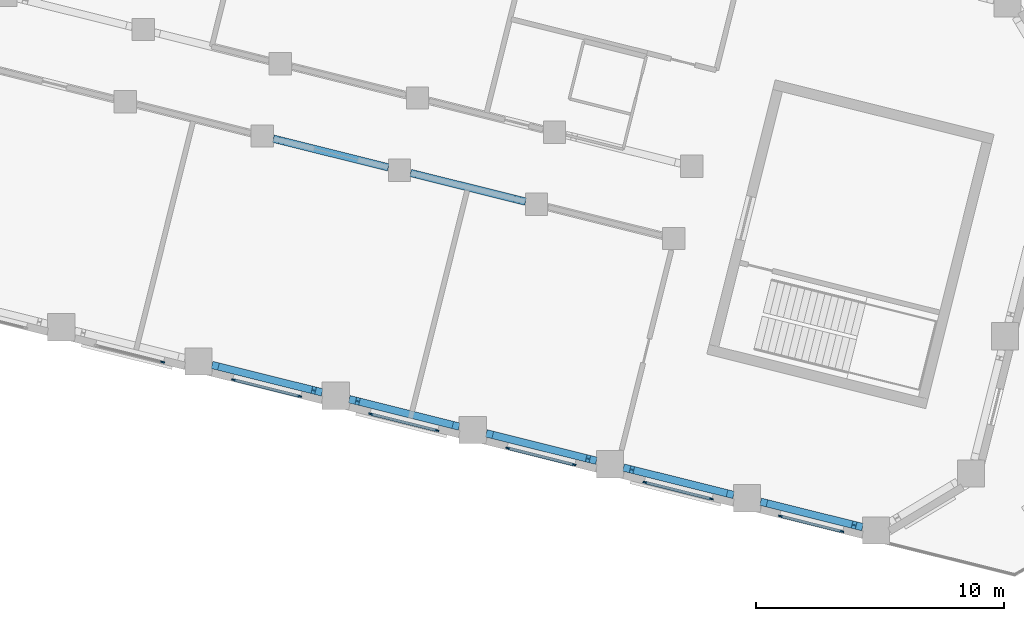
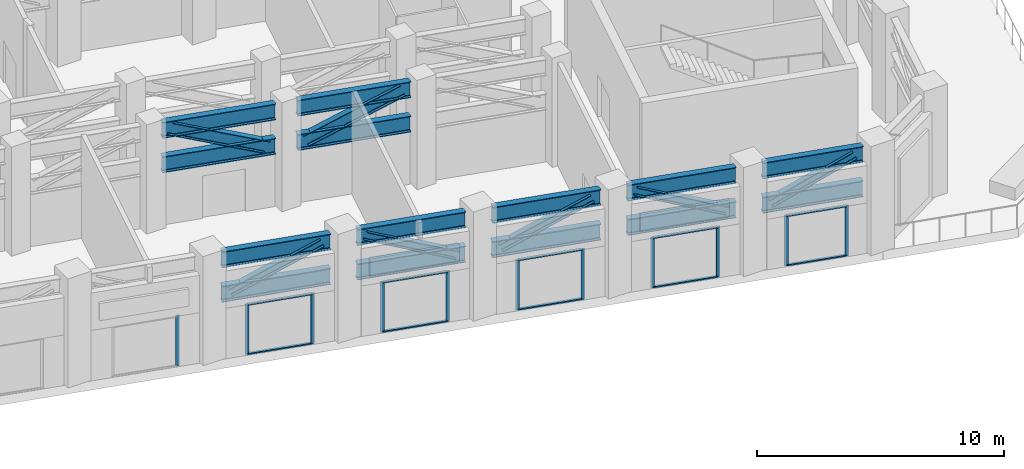
# One storey, part 4 of 21: 28 members, 14 beams, 6 elements without a shape of their own.
"""IFC4 building model written with IfcOpenShell, lengths in metres."""

import ifcopenshell
import ifcopenshell.guid

model = None  # the IFC model being written
_history = None  # IfcOwnerHistory: only IFC2X3 demands one
_inside = {}  # id of a spatial element -> (the spatial element, [elements in it])
_under = {}  # id of a project, library or spatial element -> (it, [spatial elements below it])
_declared = {}  # id of a project -> (the project, [libraries it declares])
_typed = {}  # id of a type object -> (the type object, [elements of that type])
_made_of = {}  # id of a material, layer set ... -> (it, [elements and type objects made of it])


def new_model(schema):
    """Start an empty IFC model of exactly this schema.

    Asked for "IFC4X3", IfcOpenShell would pick the latest addendum, in which some entities
    have other attributes; the version numbers below select the first issue.
    IFC2X3 requires an IfcOwnerHistory on every rooted entity: one is made here for all.
    """
    global model, _history
    if schema == "IFC4X3":
        model = ifcopenshell.file(schema_version=(4, 3, 0, 0))
    else:
        model = ifcopenshell.file(schema=schema)
    _inside.clear()
    _under.clear()
    _declared.clear()
    _typed.clear()
    _made_of.clear()
    _history = None
    if model.schema == "IFC2X3":
        org = make("IfcOrganization", Name="unknown")
        user = make(
            "IfcPersonAndOrganization",
            ThePerson=make("IfcPerson", FamilyName="unknown"),
            TheOrganization=org,
        )
        app = make(
            "IfcApplication",
            ApplicationDeveloper=org,
            Version="unknown",
            ApplicationFullName="unknown",
            ApplicationIdentifier="unknown",
        )
        _history = make(
            "IfcOwnerHistory",
            OwningUser=user,
            OwningApplication=app,
            ChangeAction="ADDED",
            CreationDate=0,
        )
    return model


def make(cls, **values):
    """One entity of the class cls with the attributes given. An attribute that is None is left unset."""
    return model.create_entity(
        cls, **{name: value for name, value in values.items() if value is not None}
    )


def rooted(cls, **values):
    """An entity with a GlobalId (a new one), such as an element, a storey or a relation."""
    return make(cls, GlobalId=ifcopenshell.guid.new(), OwnerHistory=_history, **values)


def si_unit(unit_type, name, prefix=None):
    """IfcSIUnit, for example si_unit("LENGTHUNIT", "METRE", prefix="MILLI")."""
    return make("IfcSIUnit", UnitType=unit_type, Prefix=prefix, Name=name)


def assignment(units):
    """IfcUnitAssignment: the units of a project."""
    return None if units is None else make("IfcUnitAssignment", Units=units)


def point(xyz):
    """IfcCartesianPoint."""
    return None if xyz is None else make("IfcCartesianPoint", Coordinates=xyz)


def direction(xyz):
    """IfcDirection."""
    return None if xyz is None else make("IfcDirection", DirectionRatios=xyz)


def frame(location, z_axis=None, x_axis=None):
    """IfcAxis2Placement3D, a coordinate frame: its origin and axes. An axis left out is left unset."""
    return make(
        "IfcAxis2Placement3D",
        Location=point(location),
        Axis=direction(z_axis),
        RefDirection=direction(x_axis),
    )


def frame_2d(location, x_axis=None):
    """IfcAxis2Placement2D, a coordinate frame in the plane: its origin and x axis."""
    return make(
        "IfcAxis2Placement2D", Location=point(location), RefDirection=direction(x_axis)
    )


def origin():
    """The frame at (0, 0, 0) with its axes left unset."""
    return frame((0.0, 0.0, 0.0))


def origin_2d():
    """The frame at (0, 0) in the plane with its x axis left unset."""
    return frame_2d((0.0, 0.0))


def place(relative_to, where):
    """IfcLocalPlacement: puts the frame where relative to a parent placement (None: the world)."""
    return make(
        "IfcLocalPlacement", PlacementRelTo=relative_to, RelativePlacement=where
    )


def context(
    kind, dimensions, precision=None, world=None, true_north=None, identifier=None
):
    """IfcGeometricRepresentationContext, for example the 3D "Model" context."""
    return make(
        "IfcGeometricRepresentationContext",
        ContextIdentifier=identifier,
        ContextType=kind,
        CoordinateSpaceDimension=dimensions,
        Precision=precision,
        WorldCoordinateSystem=world,
        TrueNorth=true_north,
    )


def subcontext(parent, identifier, kind, view, scale=None):
    """IfcGeometricRepresentationSubContext, for example "Body" below "Model"."""
    return make(
        "IfcGeometricRepresentationSubContext",
        ContextIdentifier=identifier,
        ContextType=kind,
        ParentContext=parent,
        TargetScale=scale,
        TargetView=view,
    )


def project(units=None, contexts=None):
    """IfcProject with its units and contexts."""
    return rooted(
        "IfcProject",
        Name="project",
        RepresentationContexts=contexts,
        UnitsInContext=assignment(units),
    )


def spatial(cls, under=None, at=None, **own):
    """A site, building, storey or space (cls), placed at a placement, below another one or the project."""
    s = rooted(cls, ObjectPlacement=at, **own)
    if under is not None:
        _under.setdefault(under.id(), (under, []))[1].append(s)
    return s


def profile(cls, at=None, kind="AREA", **sizes):
    """A parametric profile (cls). Its sizes go by their IFC names, for example OverallWidth=200.0."""
    return make(cls, ProfileType=kind, Position=at, **sizes)


def rectangle(**sizes):
    """IfcRectangleProfileDef."""
    return profile("IfcRectangleProfileDef", **sizes)


def i_section(**sizes):
    """IfcIShapeProfileDef."""
    return profile("IfcIShapeProfileDef", **sizes)


def extrude(swept, where, along, depth):
    """IfcExtrudedAreaSolid: the profile swept, set in the frame where, extruded along a direction by depth."""
    return make(
        "IfcExtrudedAreaSolid",
        SweptArea=swept,
        Position=where,
        ExtrudedDirection=direction(along),
        Depth=depth,
    )


def shape(context_of_items, identifier, shape_type, items):
    """IfcShapeRepresentation: the items that make up one representation, for example the "Body"."""
    return make(
        "IfcShapeRepresentation",
        ContextOfItems=context_of_items,
        RepresentationIdentifier=identifier,
        RepresentationType=shape_type,
        Items=items,
    )


def material(Name=None, Category=None):
    """IfcMaterial."""
    return make("IfcMaterial", Name=Name, Category=Category)


def material_profile(
    of_material, cross_section, Name=None, Category=None, Priority=None
):
    """IfcMaterialProfile: a cross section and its material."""
    return make(
        "IfcMaterialProfile",
        Name=Name,
        Material=of_material,
        Profile=cross_section,
        Priority=Priority,
        Category=Category,
    )


def profile_set(profiles, Name=None, composite=None):
    """IfcMaterialProfileSet."""
    return make(
        "IfcMaterialProfileSet",
        Name=Name,
        MaterialProfiles=profiles,
        CompositeProfile=composite,
    )


def made_of(thing, what):
    """Note that an element or type object is made of a material, layer set ...; save() writes the relation."""
    if what is not None:
        _made_of.setdefault(what.id(), (what, []))[1].append(thing)
    return thing


def type_object(cls, material=None, **own):
    """A type object (cls), such as IfcWallType, which elements share."""
    return made_of(rooted(cls, **own), material)


def element(
    cls,
    number,
    at=None,
    inside=None,
    cuts=None,
    type_object=None,
    material=None,
    context=None,
    identifier="Body",
    shape_type=None,
    held_by="IfcProductDefinitionShape",
    body=None,
    shapes=None,
    **own,
):
    """One element of the class cls, such as IfcWall. Its Tag is "e" and its number.

    at: its placement. inside: the storey or other place that contains it. cuts: it is an
    opening in that element (IfcRelVoidsElement). A single representation is given by context,
    identifier, shape_type and body (its items); several are given by shapes. held_by: the class
    of the entity that holds the representations. save() writes the other relations.
    """
    e = rooted(cls, Tag="e%d" % number, ObjectPlacement=at, **own)
    if body is not None:
        shapes = [shape(context, identifier, shape_type, body)]
    if shapes is not None:
        e.Representation = make(held_by, Representations=shapes)
    if inside is not None:
        _inside.setdefault(inside.id(), (inside, []))[1].append(e)
    if cuts is not None:
        rooted(
            "IfcRelVoidsElement", RelatingBuildingElement=cuts, RelatedOpeningElement=e
        )
    if type_object is not None:
        _typed.setdefault(type_object.id(), (type_object, []))[1].append(e)
    return made_of(e, material)


def aggregate(whole, parts):
    """IfcRelAggregates: a whole, such as a stair, and the parts it consists of."""
    return rooted("IfcRelAggregates", RelatingObject=whole, RelatedObjects=parts)


def save(model, path):
    """Write the relations noted so far, then the file.

    IfcRelAggregates (storeys below a building ...), IfcRelContainedInSpatialStructure (elements
    in a storey), IfcRelDefinesByType, IfcRelAssociatesMaterial and IfcRelDeclares: one each for
    every whole, place, type object, material and project.
    """
    for whole, parts in _under.values():
        aggregate(whole, parts)
    for where, things in _inside.values():
        rooted(
            "IfcRelContainedInSpatialStructure",
            RelatedElements=things,
            RelatingStructure=where,
        )
    for kind, things in _typed.values():
        rooted("IfcRelDefinesByType", RelatedObjects=things, RelatingType=kind)
    for what, things in _made_of.values():
        rooted("IfcRelAssociatesMaterial", RelatedObjects=things, RelatingMaterial=what)
    for by, libraries in _declared.values():
        rooted("IfcRelDeclares", RelatingContext=by, RelatedDefinitions=libraries)
    model.write(path)


model = new_model("IFC4")

# Units and contexts
model_context = context("Model", 3, precision=1e-05, world=origin(), true_north=direction((0.0, 1.0)))
body_context = subcontext(model_context, "Body", "Model", "MODEL_VIEW")
ifc_project = project(units=[si_unit("LENGTHUNIT", "METRE"), si_unit("AREAUNIT", "SQUARE_METRE"), si_unit("VOLUMEUNIT", "CUBIC_METRE"), si_unit("PLANEANGLEUNIT", "RADIAN"), si_unit("MASSUNIT", "GRAM", prefix="KILO")], contexts=[model_context])

# Site, building, storey
site_placement = place(None, origin())
site = spatial("IfcSite", under=ifc_project, at=site_placement, CompositionType="ELEMENT")
building_placement = place(site_placement, origin())
building = spatial("IfcBuilding", under=site, at=building_placement, Name="Meshkara Civic Tower", CompositionType="ELEMENT")
storey_placement = place(building_placement, frame((0.0, 0.0, 284.39990234375)))
storey = spatial("IfcBuildingStorey", under=building, at=storey_placement, Name="L65", CompositionType="ELEMENT", Elevation=284.39990234375)

# Beams
ifc_material_1 = material(Name="Steel S355", Category="steel")
ifc_material_profile_1 = material_profile(ifc_material_1, i_section(OverallWidth=0.300048828125, OverallDepth=0.800048828125, WebThickness=0.017578125, FlangeThickness=0.032958984375, FilletRadius=0.030029296875, at=origin_2d()))
ifc_profile_set_1 = profile_set([ifc_material_profile_1], Name="Steel S355")
beam_type_1 = type_object("IfcBeamType", Name="Belt truss chord HEB 800 S355", PredefinedType="BEAM", material=ifc_profile_set_1)
for number, where, z_axis, x_axis, name in (
    (1, (33.988037109375, -8.010986328125, 4.7001953125), (0.970299186733, -0.241908016044, 0.0), (0.241908016044, 0.970299186733, 0.0), "Belt truss chord BBS03-BS04"),
    (2, (33.988037109375, -8.010986328125, 3.0), (0.970299186733, -0.241908016044, 0.0), (0.241908016044, 0.970299186733, 0.0), "Belt truss chord BBS03-BS04"),
):
    element("IfcBeam", number, at=place(storey_placement, frame(where, z_axis=z_axis, x_axis=x_axis)), inside=storey, type_object=beam_type_1, Name=name, PredefinedType="BEAM", context=body_context, shape_type="SweptSolid", body=[
        extrude(i_section(OverallWidth=0.300048828125, OverallDepth=0.800048828125, WebThickness=0.017578125, FlangeThickness=0.032958984375, FilletRadius=0.030029296875, at=origin_2d()), origin(), (0.0, 0.0, 1.0), 4.576904296875),
    ])
for number, where, z_axis, x_axis, name in (
    (3, (39.51904296875, -9.389892578125, 4.7001953125), (0.970286696562, -0.241958108925, 0.0), (0.241958108925, 0.970286696562, 0.0), "Belt truss chord BBS04-BS05-P4"),
    (4, (39.51904296875, -9.389892578125, 3.0), (0.970286696562, -0.241958108925, 0.0), (0.241958108925, 0.970286696562, 0.0), "Belt truss chord BBS04-BS05-P4"),
):
    element("IfcBeam", number, at=place(storey_placement, frame(where, z_axis=z_axis, x_axis=x_axis)), inside=storey, type_object=beam_type_1, Name=name, PredefinedType="BEAM", context=body_context, shape_type="SweptSolid", body=[
        extrude(i_section(OverallWidth=0.300048828125, OverallDepth=0.800048828125, WebThickness=0.017578125, FlangeThickness=0.032958984375, FilletRadius=0.030029296875, at=origin_2d()), origin(), (0.0, 0.0, 1.0), 4.575927734375),
    ])
for number, where, z_axis, x_axis, name in (
    (5, (45.049072265625, -10.768798828125, 4.7001953125), (0.970286664886, -0.24195823595, 0.0), (0.24195823595, 0.970286664886, 0.0), "Belt truss chord BBS05-P4-BS06-P4"),
    (6, (45.049072265625, -10.768798828125, 3.0), (0.970286664886, -0.24195823595, 0.0), (0.24195823595, 0.970286664886, 0.0), "Belt truss chord BBS05-P4-BS06-P4"),
):
    element("IfcBeam", number, at=place(storey_placement, frame(where, z_axis=z_axis, x_axis=x_axis)), inside=storey, type_object=beam_type_1, Name=name, PredefinedType="BEAM", context=body_context, shape_type="SweptSolid", body=[
        extrude(i_section(OverallWidth=0.300048828125, OverallDepth=0.800048828125, WebThickness=0.017578125, FlangeThickness=0.032958984375, FilletRadius=0.030029296875, at=origin_2d()), origin(), (0.0, 0.0, 1.0), 4.576904296875),
    ])
for number, where, z_axis, x_axis, name in (
    (7, (50.580078125, -12.147705078125, 4.7001953125), (0.970336738613, -0.241757344662, 0.0), (0.241757344662, 0.970336738613, 0.0), "Belt truss chord BBS06-P4-BS07"),
    (8, (50.580078125, -12.147705078125, 3.0), (0.970336738613, -0.241757344662, 0.0), (0.241757344662, 0.970336738613, 0.0), "Belt truss chord BBS06-P4-BS07"),
):
    element("IfcBeam", number, at=place(storey_placement, frame(where, z_axis=z_axis, x_axis=x_axis)), inside=storey, type_object=beam_type_1, Name=name, PredefinedType="BEAM", context=body_context, shape_type="SweptSolid", body=[
        extrude(i_section(OverallWidth=0.300048828125, OverallDepth=0.800048828125, WebThickness=0.017578125, FlangeThickness=0.032958984375, FilletRadius=0.030029296875, at=origin_2d()), origin(), (0.0, 0.0, 1.0), 4.57666015625),
    ])
for number, where, z_axis, x_axis, name in (
    (9, (56.111083984375, -13.52587890625, 4.7001953125), (0.970271200234, -0.242020242948, 0.0), (0.242020242948, 0.970271200234, 0.0), "Belt truss chord BBS07-BSEP4"),
    (10, (56.111083984375, -13.52587890625, 3.0), (0.970271200234, -0.242020242948, 0.0), (0.242020242948, 0.970271200234, 0.0), "Belt truss chord BBS07-BSEP4"),
):
    element("IfcBeam", number, at=place(storey_placement, frame(where, z_axis=z_axis, x_axis=x_axis)), inside=storey, type_object=beam_type_1, Name=name, PredefinedType="BEAM", context=body_context, shape_type="SweptSolid", body=[
        extrude(i_section(OverallWidth=0.300048828125, OverallDepth=0.800048828125, WebThickness=0.017578125, FlangeThickness=0.032958984375, FilletRadius=0.030029296875, at=origin_2d()), origin(), (0.0, 0.0, 1.0), 4.23583984375),
    ])

# Curtain wall, member
ifc_material_2 = material(Name="Tinted double glazing", Category="glass")
curtain_wall_type = type_object("IfcCurtainWallType", Name="CW SKY LOBBY BAND", PredefinedType="NOTDEFINED", material=ifc_material_2)
curtain_wall_1_placement = place(storey_placement, origin())
curtain_wall_1 = element("IfcCurtainWall", 11, at=curtain_wall_1_placement, inside=storey, type_object=curtain_wall_type, Name="Curtain wall CW2", PredefinedType="NOTDEFINED")
ifc_material_3 = material(Name="Bronze anodised aluminium", Category="aluminium")
ifc_material_profile_2 = material_profile(ifc_material_3, rectangle(XDim=0.06005859375, YDim=0.159912109375, at=origin_2d()))
ifc_profile_set_2 = profile_set([ifc_material_profile_2], Name="Bronze anodised aluminium")
member_type_1 = type_object("IfcMemberType", Name="CW MULLION 60x160", PredefinedType="MULLION", material=ifc_profile_set_2)
member_1_placement = place(storey_placement, frame((31.998779296875, -7.895751953125, 0.0), z_axis=(0.0, 0.0, 1.0), x_axis=(0.241951258529, 0.970288404803, 0.0)))
member_1 = element("IfcMember", 12, at=member_1_placement, type_object=member_type_1, Name="CW2 mullion 2", PredefinedType="MULLION", context=body_context, shape_type="SweptSolid", body=[
    extrude(rectangle(XDim=0.06005859375, YDim=0.159912109375, at=origin_2d()), origin(), (0.0, 0.0, 1.0), 2.5),
])
aggregate(curtain_wall_1, [member_1])

# Curtain wall, members
curtain_wall_2_placement = place(storey_placement, origin())
curtain_wall_2 = element("IfcCurtainWall", 13, at=curtain_wall_2_placement, inside=storey, type_object=curtain_wall_type, Name="Curtain wall CW2", PredefinedType="NOTDEFINED")
member_2_placement = place(storey_placement, frame((34.85302734375, -8.607177734375, 0.0), z_axis=(0.0, 0.0, 1.0), x_axis=(0.241951258529, 0.970288404803, 0.0)))
member_2 = element("IfcMember", 14, at=member_2_placement, type_object=member_type_1, Name="CW2 mullion 1", PredefinedType="MULLION", context=body_context, shape_type="SweptSolid", body=[
    extrude(rectangle(XDim=0.06005859375, YDim=0.159912109375, at=origin_2d()), origin(), (0.0, 0.0, 1.0), 2.5),
])
member_3_placement = place(storey_placement, frame((37.52978515625, -9.274658203125, 0.0), z_axis=(0.0, 0.0, 1.0), x_axis=(0.241951258529, 0.970288404803, 0.0)))
member_3 = element("IfcMember", 15, at=member_3_placement, type_object=member_type_1, Name="CW2 mullion 2", PredefinedType="MULLION", context=body_context, shape_type="SweptSolid", body=[
    extrude(rectangle(XDim=0.06005859375, YDim=0.159912109375, at=origin_2d()), origin(), (0.0, 0.0, 1.0), 2.5),
])

curtain_wall_3_placement = place(storey_placement, origin())
curtain_wall_3 = element("IfcCurtainWall", 16, at=curtain_wall_3_placement, inside=storey, type_object=curtain_wall_type, Name="Curtain wall CW2", PredefinedType="NOTDEFINED")
member_4_placement = place(storey_placement, frame((40.384033203125, -9.986328125, 0.0), z_axis=(0.0, 0.0, 1.0), x_axis=(0.242034572364, 0.970267625854, 0.0)))
member_4 = element("IfcMember", 17, at=member_4_placement, type_object=member_type_1, Name="CW2 mullion 1", PredefinedType="MULLION", context=body_context, shape_type="SweptSolid", body=[
    extrude(rectangle(XDim=0.06005859375, YDim=0.159912109375, at=origin_2d()), origin(), (0.0, 0.0, 1.0), 2.5),
])
member_5_placement = place(storey_placement, frame((43.059814453125, -10.65380859375, 0.0), z_axis=(0.0, 0.0, 1.0), x_axis=(0.242034572364, 0.970267625854, 0.0)))
member_5 = element("IfcMember", 18, at=member_5_placement, type_object=member_type_1, Name="CW2 mullion 2", PredefinedType="MULLION", context=body_context, shape_type="SweptSolid", body=[
    extrude(rectangle(XDim=0.06005859375, YDim=0.159912109375, at=origin_2d()), origin(), (0.0, 0.0, 1.0), 2.5),
])

curtain_wall_4_placement = place(storey_placement, origin())
curtain_wall_4 = element("IfcCurtainWall", 19, at=curtain_wall_4_placement, inside=storey, type_object=curtain_wall_type, Name="Curtain wall CW2", PredefinedType="NOTDEFINED")
member_6_placement = place(storey_placement, frame((45.9140625, -11.365234375, 0.0), z_axis=(0.0, 0.0, 1.0), x_axis=(0.241951258529, 0.970288404803, 0.0)))
member_6 = element("IfcMember", 20, at=member_6_placement, type_object=member_type_1, Name="CW2 mullion 1", PredefinedType="MULLION", context=body_context, shape_type="SweptSolid", body=[
    extrude(rectangle(XDim=0.06005859375, YDim=0.159912109375, at=origin_2d()), origin(), (0.0, 0.0, 1.0), 2.5),
])
member_7_placement = place(storey_placement, frame((48.5908203125, -12.03271484375, 0.0), z_axis=(0.0, 0.0, 1.0), x_axis=(0.241951258529, 0.970288404803, 0.0)))
member_7 = element("IfcMember", 21, at=member_7_placement, type_object=member_type_1, Name="CW2 mullion 2", PredefinedType="MULLION", context=body_context, shape_type="SweptSolid", body=[
    extrude(rectangle(XDim=0.06005859375, YDim=0.159912109375, at=origin_2d()), origin(), (0.0, 0.0, 1.0), 2.5),
])

curtain_wall_5_placement = place(storey_placement, origin())
curtain_wall_5 = element("IfcCurtainWall", 22, at=curtain_wall_5_placement, inside=storey, type_object=curtain_wall_type, Name="Curtain wall CW2", PredefinedType="NOTDEFINED")
member_8_placement = place(storey_placement, frame((51.445068359375, -12.744140625, 0.0), z_axis=(0.0, 0.0, 1.0), x_axis=(0.241951258529, 0.970288404803, 0.0)))
member_8 = element("IfcMember", 23, at=member_8_placement, type_object=member_type_1, Name="CW2 mullion 1", PredefinedType="MULLION", context=body_context, shape_type="SweptSolid", body=[
    extrude(rectangle(XDim=0.06005859375, YDim=0.159912109375, at=origin_2d()), origin(), (0.0, 0.0, 1.0), 2.5),
])
member_9_placement = place(storey_placement, frame((54.121826171875, -13.41162109375, 0.0), z_axis=(0.0, 0.0, 1.0), x_axis=(0.241951258529, 0.970288404803, 0.0)))
member_9 = element("IfcMember", 24, at=member_9_placement, type_object=member_type_1, Name="CW2 mullion 2", PredefinedType="MULLION", context=body_context, shape_type="SweptSolid", body=[
    extrude(rectangle(XDim=0.06005859375, YDim=0.159912109375, at=origin_2d()), origin(), (0.0, 0.0, 1.0), 2.5),
])

curtain_wall_6_placement = place(storey_placement, origin())
curtain_wall_6 = element("IfcCurtainWall", 25, at=curtain_wall_6_placement, inside=storey, type_object=curtain_wall_type, Name="Curtain wall CW2", PredefinedType="NOTDEFINED")
member_10_placement = place(storey_placement, frame((56.91015625, -14.107177734375, 0.0), z_axis=(0.0, 0.0, 1.0), x_axis=(0.241815333817, 0.970322288897, 0.0)))
member_10 = element("IfcMember", 26, at=member_10_placement, type_object=member_type_1, Name="CW2 mullion 1", PredefinedType="MULLION", context=body_context, shape_type="SweptSolid", body=[
    extrude(rectangle(XDim=0.06005859375, YDim=0.159912109375, at=origin_2d()), origin(), (0.0, 0.0, 1.0), 2.5),
])
member_11_placement = place(storey_placement, frame((59.387939453125, -14.724853515625, 0.0), z_axis=(0.0, 0.0, 1.0), x_axis=(0.241815333817, 0.970322288897, 0.0)))
member_11 = element("IfcMember", 27, at=member_11_placement, type_object=member_type_1, Name="CW2 mullion 2", PredefinedType="MULLION", context=body_context, shape_type="SweptSolid", body=[
    extrude(rectangle(XDim=0.06005859375, YDim=0.159912109375, at=origin_2d()), origin(), (0.0, 0.0, 1.0), 2.5),
])

# Member
ifc_material_4 = material(Name="Bronze anodised aluminium", Category="aluminium")
ifc_material_profile_3 = material_profile(ifc_material_4, rectangle(XDim=0.1201171875, YDim=0.06005859375, at=origin_2d()))
ifc_profile_set_3 = profile_set([ifc_material_profile_3], Name="Bronze anodised aluminium")
member_type_2 = type_object("IfcMemberType", Name="CW TRANSOM 60x120", PredefinedType="USERDEFINED", material=ifc_profile_set_3)
member_12_placement = place(storey_placement, frame((34.88232421875, -8.614501953125, 0.030029296875), z_axis=(0.970275396198, -0.242003420497, 0.0), x_axis=(0.242003420497, 0.970275396198, 0.0)))
member_12 = element("IfcMember", 28, at=member_12_placement, type_object=member_type_2, Name="CW2 transom 1.1", ObjectType="TRANSOM", PredefinedType="USERDEFINED", context=body_context, shape_type="SweptSolid", body=[
    extrude(rectangle(XDim=0.1201171875, YDim=0.06005859375, at=origin_2d()), origin(), (0.0, 0.0, 1.0), 2.69873046875),
])

member_13_placement = place(storey_placement, frame((34.88232421875, -8.614501953125, 2.47021484375), z_axis=(0.970275396198, -0.242003420497, 0.0), x_axis=(0.242003420497, 0.970275396198, 0.0)))
member_13 = element("IfcMember", 29, at=member_13_placement, type_object=member_type_2, Name="CW2 transom 1.2", ObjectType="TRANSOM", PredefinedType="USERDEFINED", context=body_context, shape_type="SweptSolid", body=[
    extrude(rectangle(XDim=0.1201171875, YDim=0.06005859375, at=origin_2d()), origin(), (0.0, 0.0, 1.0), 2.69873046875),
])

aggregate(curtain_wall_2, [member_2, member_3, member_12, member_13])

member_14_placement = place(storey_placement, frame((40.413330078125, -9.993408203125, 0.030029296875), z_axis=(0.970254191627, -0.242088421099, 0.0), x_axis=(0.242088421099, 0.970254191627, 0.0)))
member_14 = element("IfcMember", 30, at=member_14_placement, type_object=member_type_2, Name="CW2 transom 1.1", ObjectType="TRANSOM", PredefinedType="USERDEFINED", context=body_context, shape_type="SweptSolid", body=[
    extrude(rectangle(XDim=0.1201171875, YDim=0.06005859375, at=origin_2d()), origin(), (0.0, 0.0, 1.0), 2.69775390625),
])

member_15_placement = place(storey_placement, frame((40.413330078125, -9.993408203125, 2.47021484375), z_axis=(0.970254191627, -0.242088421099, 0.0), x_axis=(0.242088421099, 0.970254191627, 0.0)))
member_15 = element("IfcMember", 31, at=member_15_placement, type_object=member_type_2, Name="CW2 transom 1.2", ObjectType="TRANSOM", PredefinedType="USERDEFINED", context=body_context, shape_type="SweptSolid", body=[
    extrude(rectangle(XDim=0.1201171875, YDim=0.06005859375, at=origin_2d()), origin(), (0.0, 0.0, 1.0), 2.69775390625),
])

aggregate(curtain_wall_3, [member_4, member_5, member_14, member_15])

member_16_placement = place(storey_placement, frame((45.943115234375, -11.37255859375, 0.030029296875), z_axis=(0.970301929887, -0.241897012914, 0.0), x_axis=(0.241897012914, 0.970301929887, 0.0)))
member_16 = element("IfcMember", 32, at=member_16_placement, type_object=member_type_2, Name="CW2 transom 1.1", ObjectType="TRANSOM", PredefinedType="USERDEFINED", context=body_context, shape_type="SweptSolid", body=[
    extrude(rectangle(XDim=0.1201171875, YDim=0.06005859375, at=origin_2d()), origin(), (0.0, 0.0, 1.0), 2.69873046875),
])

member_17_placement = place(storey_placement, frame((45.943115234375, -11.37255859375, 2.47021484375), z_axis=(0.970301929887, -0.241897012914, 0.0), x_axis=(0.241897012914, 0.970301929887, 0.0)))
member_17 = element("IfcMember", 33, at=member_17_placement, type_object=member_type_2, Name="CW2 transom 1.2", ObjectType="TRANSOM", PredefinedType="USERDEFINED", context=body_context, shape_type="SweptSolid", body=[
    extrude(rectangle(XDim=0.1201171875, YDim=0.06005859375, at=origin_2d()), origin(), (0.0, 0.0, 1.0), 2.69873046875),
])

aggregate(curtain_wall_4, [member_6, member_7, member_16, member_17])

member_18_placement = place(storey_placement, frame((51.47412109375, -12.75146484375, 0.030029296875), z_axis=(0.970280693852, -0.241982179382, 0.0), x_axis=(0.241982179382, 0.970280693852, 0.0)))
member_18 = element("IfcMember", 34, at=member_18_placement, type_object=member_type_2, Name="CW2 transom 1.1", ObjectType="TRANSOM", PredefinedType="USERDEFINED", context=body_context, shape_type="SweptSolid", body=[
    extrude(rectangle(XDim=0.1201171875, YDim=0.06005859375, at=origin_2d()), origin(), (0.0, 0.0, 1.0), 2.698974609375),
])

member_19_placement = place(storey_placement, frame((51.47412109375, -12.75146484375, 2.47021484375), z_axis=(0.970280693852, -0.241982179382, 0.0), x_axis=(0.241982179382, 0.970280693852, 0.0)))
member_19 = element("IfcMember", 35, at=member_19_placement, type_object=member_type_2, Name="CW2 transom 1.2", ObjectType="TRANSOM", PredefinedType="USERDEFINED", context=body_context, shape_type="SweptSolid", body=[
    extrude(rectangle(XDim=0.1201171875, YDim=0.06005859375, at=origin_2d()), origin(), (0.0, 0.0, 1.0), 2.698974609375),
])

aggregate(curtain_wall_5, [member_8, member_9, member_18, member_19])

member_20_placement = place(storey_placement, frame((56.939208984375, -14.114501953125, 0.030029296875), z_axis=(0.970320767075, -0.241821440286, 0.0), x_axis=(0.241821440286, 0.970320767075, 0.0)))
member_20 = element("IfcMember", 36, at=member_20_placement, type_object=member_type_2, Name="CW2 transom 1.1", ObjectType="TRANSOM", PredefinedType="USERDEFINED", context=body_context, shape_type="SweptSolid", body=[
    extrude(rectangle(XDim=0.1201171875, YDim=0.06005859375, at=origin_2d()), origin(), (0.0, 0.0, 1.0), 2.49365234375),
])

member_21_placement = place(storey_placement, frame((56.939208984375, -14.114501953125, 2.47021484375), z_axis=(0.970320767075, -0.241821440286, 0.0), x_axis=(0.241821440286, 0.970320767075, 0.0)))
member_21 = element("IfcMember", 37, at=member_21_placement, type_object=member_type_2, Name="CW2 transom 1.2", ObjectType="TRANSOM", PredefinedType="USERDEFINED", context=body_context, shape_type="SweptSolid", body=[
    extrude(rectangle(XDim=0.1201171875, YDim=0.06005859375, at=origin_2d()), origin(), (0.0, 0.0, 1.0), 2.49365234375),
])

aggregate(curtain_wall_6, [member_10, member_11, member_20, member_21])

# Beams
ifc_material_5 = material(Name="Steel S355", Category="steel")
ifc_material_profile_4 = material_profile(ifc_material_5, i_section(OverallWidth=0.300048828125, OverallDepth=0.7900390625, WebThickness=0.014892578125, FlangeThickness=0.028076171875, FilletRadius=0.030029296875, at=origin_2d()))
ifc_profile_set_4 = profile_set([ifc_material_profile_4], Name="Steel S355")
beam_type_2 = type_object("IfcBeamType", Name="Outrigger chord HEA 800 S355", PredefinedType="BEAM", material=ifc_profile_set_4)
for number, where, z_axis, x_axis, name in (
    (38, (36.461181640625, 1.112060546875, 4.705078125), (0.970286489601, -0.241958938867, 0.0), (0.241958938867, 0.970286489601, 0.0), "Outrigger chord OSB1-SB1-03-SB1-04"),
    (39, (36.461181640625, 1.112060546875, 3.005126953125), (0.970286489601, -0.241958938867, 0.0), (0.241958938867, 0.970286489601, 0.0), "Outrigger chord OSB1-SB1-03-SB1-04"),
):
    element("IfcBeam", number, at=place(storey_placement, frame(where, z_axis=z_axis, x_axis=x_axis)), inside=storey, type_object=beam_type_2, Name=name, PredefinedType="BEAM", context=body_context, shape_type="SweptSolid", body=[
        extrude(i_section(OverallWidth=0.300048828125, OverallDepth=0.7900390625, WebThickness=0.014892578125, FlangeThickness=0.028076171875, FilletRadius=0.030029296875, at=origin_2d()), origin(), (0.0, 0.0, 1.0), 4.78173828125),
    ])
for number, where, z_axis, x_axis, name in (
    (40, (41.9912109375, -0.26708984375, 4.705078125), (0.970298442389, -0.241911001604, 0.0), (0.241911001604, 0.970298442389, 0.0), "Outrigger chord OSB1-SB1-04-SB1-05"),
    (41, (41.9912109375, -0.26708984375, 3.005126953125), (0.970298442389, -0.241911001604, 0.0), (0.241911001604, 0.970298442389, 0.0), "Outrigger chord OSB1-SB1-04-SB1-05"),
):
    element("IfcBeam", number, at=place(storey_placement, frame(where, z_axis=z_axis, x_axis=x_axis)), inside=storey, type_object=beam_type_2, Name=name, PredefinedType="BEAM", context=body_context, shape_type="SweptSolid", body=[
        extrude(i_section(OverallWidth=0.300048828125, OverallDepth=0.7900390625, WebThickness=0.014892578125, FlangeThickness=0.028076171875, FilletRadius=0.030029296875, at=origin_2d()), origin(), (0.0, 0.0, 1.0), 4.78271484375),
    ])

# Members
ifc_material_6 = material(Name="Steel S355", Category="steel")
ifc_material_profile_5 = material_profile(ifc_material_6, i_section(OverallWidth=0.300048828125, OverallDepth=0.590087890625, WebThickness=0.012939453125, FlangeThickness=0.02490234375, FilletRadius=0.027099609375, at=origin_2d()))
ifc_profile_set_5 = profile_set([ifc_material_profile_5], Name="Steel S355")
member_type_3 = type_object("IfcMemberType", Name="Truss diagonal HEA 600 S355", PredefinedType="BRACE", material=ifc_profile_set_5)
member_22_placement = place(storey_placement, frame((36.80078125, 1.02734375, 4.705078125), z_axis=(0.895711913073, -0.223348211588, -0.384468132827), x_axis=(0.241944484644, 0.970290093916, 0.0)))
element("IfcMember", 42, at=member_22_placement, inside=storey, type_object=member_type_3, Name="TD-OSB1-SB1-03-SB1-04-L65", PredefinedType="BRACE", context=body_context, shape_type="SweptSolid", body=[
    extrude(i_section(OverallWidth=0.300048828125, OverallDepth=0.590087890625, WebThickness=0.012939453125, FlangeThickness=0.02490234375, FilletRadius=0.027099609375, at=origin_2d()), origin(), (0.0, 0.0, 1.0), 4.421630859375),
])
member_23_placement = place(storey_placement, frame((42.330810546875, -0.351806640625, 3.005126953125), z_axis=(0.895755564869, -0.22330403426, 0.384392086663), x_axis=(0.241888331142, 0.970304094219, 0.0)))
element("IfcMember", 43, at=member_23_placement, inside=storey, type_object=member_type_3, Name="TD-OSB1-SB1-04-SB1-05-L65", PredefinedType="BRACE", context=body_context, shape_type="SweptSolid", body=[
    extrude(i_section(OverallWidth=0.300048828125, OverallDepth=0.590087890625, WebThickness=0.012939453125, FlangeThickness=0.02490234375, FilletRadius=0.027099609375, at=origin_2d()), origin(), (0.0, 0.0, 1.0), 4.42236328125),
])
ifc_material_7 = material(Name="Steel S355", Category="steel")
ifc_material_profile_6 = material_profile(ifc_material_7, i_section(OverallWidth=0.300048828125, OverallDepth=0.39990234375, WebThickness=0.013427734375, FlangeThickness=0.02392578125, FilletRadius=0.027099609375, at=origin_2d()))
ifc_profile_set_6 = profile_set([ifc_material_profile_6], Name="Steel S355")
member_type_4 = type_object("IfcMemberType", Name="Truss diagonal HEB 400 S355", PredefinedType="BRACE", material=ifc_profile_set_6)
member_24_placement = place(storey_placement, frame((34.327880859375, -8.095703125, 3.0), z_axis=(0.888584470563, -0.221540500547, 0.40166832747), x_axis=(0.241913166558, 0.970297902629, 0.0)))
element("IfcMember", 44, at=member_24_placement, inside=storey, type_object=member_type_4, Name="TD-BBS03-BS04-L65", PredefinedType="BRACE", context=body_context, shape_type="SweptSolid", body=[
    extrude(i_section(OverallWidth=0.300048828125, OverallDepth=0.39990234375, WebThickness=0.013427734375, FlangeThickness=0.02392578125, FilletRadius=0.027099609375, at=origin_2d()), origin(), (0.0, 0.0, 1.0), 4.23291015625),
])
member_25_placement = place(storey_placement, frame((39.858642578125, -9.474609375, 4.7001953125), z_axis=(0.888560193969, -0.221563211181, -0.401709503428), x_axis=(0.241942737233, 0.970290529636, 0.0)))
element("IfcMember", 45, at=member_25_placement, inside=storey, type_object=member_type_4, Name="TD-BBS04-BS05-P4-L65", PredefinedType="BRACE", context=body_context, shape_type="SweptSolid", body=[
    extrude(i_section(OverallWidth=0.300048828125, OverallDepth=0.39990234375, WebThickness=0.013427734375, FlangeThickness=0.02392578125, FilletRadius=0.027099609375, at=origin_2d()), origin(), (0.0, 0.0, 1.0), 4.232421875),
])
member_26_placement = place(storey_placement, frame((45.388916015625, -10.853515625, 3.0), z_axis=(0.888573114994, -0.221595346476, 0.401663194393), x_axis=(0.241972461201, 0.970283117456, 0.0)))
element("IfcMember", 46, at=member_26_placement, inside=storey, type_object=member_type_4, Name="TD-BBS05-P4-BS06-P4-L65", PredefinedType="BRACE", context=body_context, shape_type="SweptSolid", body=[
    extrude(i_section(OverallWidth=0.300048828125, OverallDepth=0.39990234375, WebThickness=0.013427734375, FlangeThickness=0.02392578125, FilletRadius=0.027099609375, at=origin_2d()), origin(), (0.0, 0.0, 1.0), 4.23291015625),
])
member_27_placement = place(storey_placement, frame((50.919921875, -12.232421875, 4.7001953125), z_axis=(0.888607174137, -0.221430802383, -0.401678590204), x_axis=(0.241794569142, 0.970327463454, 0.0)))
element("IfcMember", 47, at=member_27_placement, inside=storey, type_object=member_type_4, Name="TD-BBS06-P4-BS07-L65", PredefinedType="BRACE", context=body_context, shape_type="SweptSolid", body=[
    extrude(i_section(OverallWidth=0.300048828125, OverallDepth=0.39990234375, WebThickness=0.013427734375, FlangeThickness=0.02392578125, FilletRadius=0.027099609375, at=origin_2d()), origin(), (0.0, 0.0, 1.0), 4.232666015625),
])
member_28_placement = place(storey_placement, frame((56.45068359375, -13.610595703125, 3.0), z_axis=(0.874430953782, -0.218109912682, 0.433357327223), x_axis=(0.242015694115, 0.970272334864, 0.0)))
element("IfcMember", 48, at=member_28_placement, inside=storey, type_object=member_type_4, Name="TD-BBS07-BSEP4-L65", PredefinedType="BRACE", context=body_context, shape_type="SweptSolid", body=[
    extrude(i_section(OverallWidth=0.300048828125, OverallDepth=0.39990234375, WebThickness=0.013427734375, FlangeThickness=0.02392578125, FilletRadius=0.027099609375, at=origin_2d()), origin(), (0.0, 0.0, 1.0), 3.92333984375),
])

save(model, "model.ifc")
